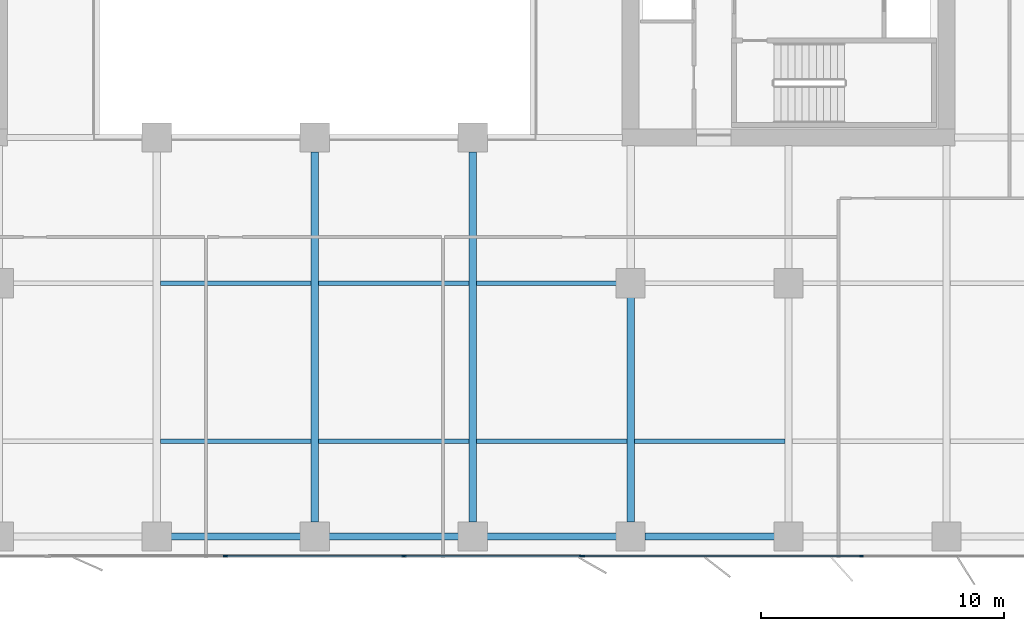
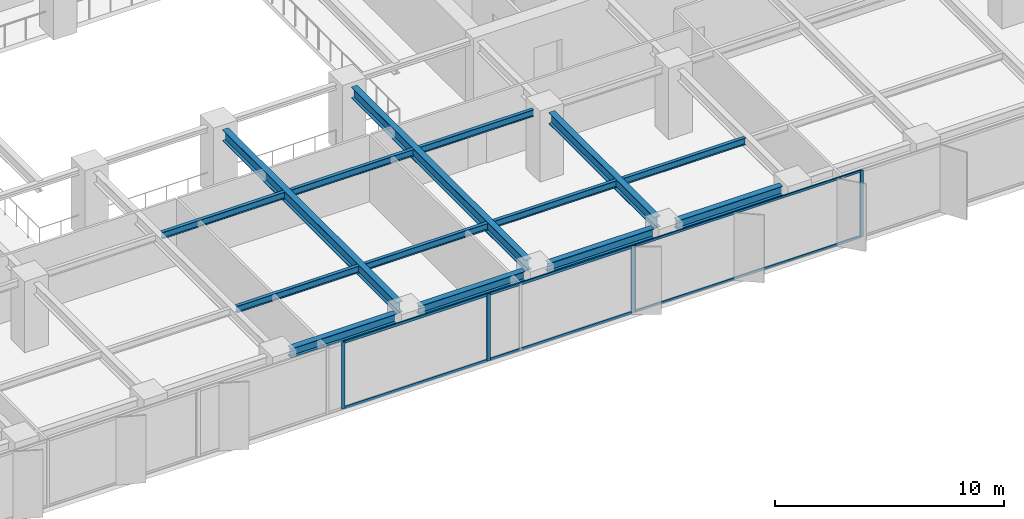
# One storey, part 5 of 20: 14 beams, 11 members, 2 elements without a shape of their own.
"""IFC4 building model written with IfcOpenShell, lengths in metres."""

from ifc_helpers import new_model, si_unit, direction, frame, origin, origin_2d, place, context, subcontext, project, spatial, rectangle, i_section, extrude, material, layer, layer_set, material_profile, profile_set, type_object, element, aggregate, save


model = new_model("IFC4")

# Units and contexts
model_context = context("Model", 3, precision=1e-05, world=origin(), true_north=direction((0.0, 1.0)))
body_context = subcontext(model_context, "Body", "Model", "MODEL_VIEW")
ifc_project = project(units=[si_unit("LENGTHUNIT", "METRE"), si_unit("AREAUNIT", "SQUARE_METRE"), si_unit("VOLUMEUNIT", "CUBIC_METRE"), si_unit("PLANEANGLEUNIT", "RADIAN"), si_unit("MASSUNIT", "GRAM", prefix="KILO")], contexts=[model_context])

# Site, building, storey
site_placement = place(None, origin())
site = spatial("IfcSite", under=ifc_project, at=site_placement, CompositionType="ELEMENT")
building_placement = place(site_placement, origin())
building = spatial("IfcBuilding", under=site, at=building_placement, Name="Putna Gate Headquarters", CompositionType="ELEMENT")
storey_placement = place(building_placement, frame((0.0, 0.0, 112.60009765625)))
storey = spatial("IfcBuildingStorey", under=building, at=storey_placement, Name="L27", CompositionType="ELEMENT", Elevation=112.60009765625)

# Beams
ifc_material_1 = material(Name="Steel S355J2", Category="steel")
ifc_material_profile_1 = material_profile(ifc_material_1, i_section(OverallWidth=0.300048828125, OverallDepth=0.60009765625, WebThickness=0.015380859375, FlangeThickness=0.030029296875, at=origin_2d()), Name="Steel S355J2")
ifc_profile_set_1 = profile_set([ifc_material_profile_1], Name="Steel S355J2")
beam_type_1 = type_object("IfcBeamType", Name="BM-GIRD-Z2-HEB600", PredefinedType="USERDEFINED", material=ifc_profile_set_1)
for number, where, z_axis, x_axis, name in (
    (1, (39.0, 3.16796875, 3.264892578125), (0.0, 1.0, 0.0), (-1.0, 0.0, 0.0), "L27 South Primary Girder X39"),
    (2, (45.5, 3.16796875, 3.264892578125), (0.0, 1.0, 0.0), (-1.0, 0.0, 0.0), "L27 South Primary Girder X45"),
):
    element("IfcBeam", number, at=place(storey_placement, frame(where, z_axis=z_axis, x_axis=x_axis)), inside=storey, type_object=beam_type_1, Name=name, ObjectType="GIRDER", PredefinedType="USERDEFINED", context=body_context, shape_type="SweptSolid", body=[
        extrude(i_section(OverallWidth=0.300048828125, OverallDepth=0.60009765625, WebThickness=0.015380859375, FlangeThickness=0.030029296875, at=origin_2d()), origin(), (0.0, 0.0, 1.0), 15.244140625),
    ])
beam_1_placement = place(storey_placement, frame((52.0, 3.16796875, 3.264892578125), z_axis=(0.0, 1.0, 0.0), x_axis=(-1.0, 0.0, 0.0)))
element("IfcBeam", 3, at=beam_1_placement, inside=storey, type_object=beam_type_1, Name="L27 South Primary Girder X52-1", ObjectType="GIRDER", PredefinedType="USERDEFINED", context=body_context, shape_type="SweptSolid", body=[
    extrude(i_section(OverallWidth=0.300048828125, OverallDepth=0.60009765625, WebThickness=0.015380859375, FlangeThickness=0.030029296875, at=origin_2d()), origin(), (0.0, 0.0, 1.0), 9.244140625),
])
ifc_material_profile_2 = material_profile(ifc_material_1, i_section(OverallWidth=0.169921875, OverallDepth=0.360107421875, WebThickness=0.008056640625, FlangeThickness=0.0126953125, at=origin_2d()), Name="Steel S355J2")
ifc_profile_set_2 = profile_set([ifc_material_profile_2], Name="Steel S355J2")
beam_type_2 = type_object("IfcBeamType", Name="BM-SEC-Z2-IPE360", PredefinedType="BEAM", material=ifc_profile_set_2)
for number, where, z_axis, x_axis, name in (
    (4, (32.654052734375, 6.5, 3.385009765625), (1.0, 0.0, 0.0), (0.0, 1.0, 0.0), "L27 South Secondary Beam 5"),
    (5, (32.654052734375, 13.0, 3.385009765625), (1.0, 0.0, 0.0), (0.0, 1.0, 0.0), "L27 South Secondary Beam 5"),
    (6, (39.154052734375, 6.5, 3.385009765625), (1.0, 0.0, 0.0), (0.0, 1.0, 0.0), "L27 South Secondary Beam 6"),
    (7, (39.154052734375, 13.0, 3.385009765625), (1.0, 0.0, 0.0), (0.0, 1.0, 0.0), "L27 South Secondary Beam 6"),
    (8, (45.654052734375, 6.5, 3.385009765625), (1.0, 0.0, 0.0), (0.0, 1.0, 0.0), "L27 South Secondary Beam 7"),
):
    element("IfcBeam", number, at=place(storey_placement, frame(where, z_axis=z_axis, x_axis=x_axis)), inside=storey, type_object=beam_type_2, Name=name, PredefinedType="BEAM", context=body_context, shape_type="SweptSolid", body=[
        extrude(i_section(OverallWidth=0.169921875, OverallDepth=0.360107421875, WebThickness=0.008056640625, FlangeThickness=0.0126953125, at=origin_2d()), origin(), (0.0, 0.0, 1.0), 6.19189453125),
    ])
beam_2_placement = place(storey_placement, frame((45.654052734375, 13.0, 3.385009765625), z_axis=(1.0, 0.0, 0.0), x_axis=(0.0, 1.0, 0.0)))
element("IfcBeam", 9, at=beam_2_placement, inside=storey, type_object=beam_type_2, Name="L27 South Secondary Beam 7", PredefinedType="BEAM", context=body_context, shape_type="SweptSolid", body=[
    extrude(i_section(OverallWidth=0.169921875, OverallDepth=0.360107421875, WebThickness=0.008056640625, FlangeThickness=0.0126953125, at=origin_2d()), origin(), (0.0, 0.0, 1.0), 5.758056640625),
])
beam_3_placement = place(storey_placement, frame((52.154052734375, 6.5, 3.385009765625), z_axis=(1.0, 0.0, 0.0), x_axis=(0.0, 1.0, 0.0)))
element("IfcBeam", 10, at=beam_3_placement, inside=storey, type_object=beam_type_2, Name="L27 South Secondary Beam 8", PredefinedType="BEAM", context=body_context, shape_type="SweptSolid", body=[
    extrude(i_section(OverallWidth=0.169921875, OverallDepth=0.360107421875, WebThickness=0.008056640625, FlangeThickness=0.0126953125, at=origin_2d()), origin(), (0.0, 0.0, 1.0), 6.19189453125),
])
ifc_material_profile_3 = material_profile(ifc_material_1, i_section(OverallWidth=0.300048828125, OverallDepth=0.489990234375, WebThickness=0.011962890625, FlangeThickness=0.02294921875, at=origin_2d()), Name="Steel S355J2")
ifc_profile_set_3 = profile_set([ifc_material_profile_3], Name="Steel S355J2")
beam_type_3 = type_object("IfcBeamType", Name="BM-SPAN-Z2-HEA500", PredefinedType="SPANDREL", material=ifc_profile_set_3)
for number, where, z_axis, x_axis, name in (
    (11, (33.087890625, 2.580078125, 3.31982421875), (1.0, 0.0, 0.0), (0.0, 1.0, 0.0), "L27 S Perimeter Spandrel 5"),
    (12, (39.587890625, 2.580078125, 3.31982421875), (1.0, 0.0, 0.0), (0.0, 1.0, 0.0), "L27 S Perimeter Spandrel 6"),
    (13, (46.087890625, 2.580078125, 3.31982421875), (1.0, 0.0, 0.0), (0.0, 1.0, 0.0), "L27 S Perimeter Spandrel 7"),
    (14, (52.587890625, 2.580078125, 3.31982421875), (1.0, 0.0, 0.0), (0.0, 1.0, 0.0), "L27 S Perimeter Spandrel 8"),
):
    element("IfcBeam", number, at=place(storey_placement, frame(where, z_axis=z_axis, x_axis=x_axis)), inside=storey, type_object=beam_type_3, Name=name, PredefinedType="SPANDREL", context=body_context, shape_type="SweptSolid", body=[
        extrude(i_section(OverallWidth=0.300048828125, OverallDepth=0.489990234375, WebThickness=0.011962890625, FlangeThickness=0.02294921875, at=origin_2d()), origin(), (0.0, 0.0, 1.0), 5.32421875),
    ])

# Curtain wall, members
ifc_material_2 = material(Name="Anodised bronze aluminium curtain wall", Category="aluminium")
ifc_layer_1 = layer(ifc_material_2, 0.159912109375)
ifc_layer_set_1 = layer_set([ifc_layer_1], Name="Anodised bronze aluminium curtain wall")
curtain_wall_type_1 = type_object("IfcCurtainWallType", Name="CW-SYS-Z2", PredefinedType="USERDEFINED", material=ifc_layer_set_1)
curtain_wall_1_placement = place(storey_placement, origin())
curtain_wall_1 = element("IfcCurtainWall", 15, at=curtain_wall_1_placement, inside=storey, type_object=curtain_wall_type_1, Name="L27 South East Curtain Wall", ObjectType="STICK CURTAIN WALL", PredefinedType="USERDEFINED")
ifc_material_3 = material(Name="Anodised bronze aluminium EN AW-6060", Category="aluminium")
ifc_material_profile_4 = material_profile(ifc_material_3, rectangle(XDim=0.06494140625, YDim=0.159912109375, at=origin_2d()), Name="Anodised bronze aluminium EN AW-6060")
ifc_profile_set_4 = profile_set([ifc_material_profile_4], Name="Anodised bronze aluminium EN AW-6060")
member_type_1 = type_object("IfcMemberType", Name="MULL-CWM-2", PredefinedType="MULLION", material=ifc_profile_set_4)
member_1_placement = place(storey_placement, frame((50.032470703125, 1.780029296875, 0.0), z_axis=(0.0, 0.0, 1.0), x_axis=(0.0, 1.0, 0.0)))
member_1 = element("IfcMember", 16, at=member_1_placement, type_object=member_type_1, Name="CWS-2 mullion 1", PredefinedType="MULLION", context=body_context, shape_type="SweptSolid", body=[
    extrude(rectangle(XDim=0.06494140625, YDim=0.159912109375, at=origin_2d()), origin(), (0.0, 0.0, 1.0), 3.56494140625),
])
member_2_placement = place(storey_placement, frame((61.5, 1.780029296875, 0.0), z_axis=(0.0, 0.0, 1.0), x_axis=(0.0, 1.0, 0.0)))
member_2 = element("IfcMember", 17, at=member_2_placement, type_object=member_type_1, Name="CWS-2 mullion 2", PredefinedType="MULLION", context=body_context, shape_type="SweptSolid", body=[
    extrude(rectangle(XDim=0.06494140625, YDim=0.159912109375, at=origin_2d()), origin(), (0.0, 0.0, 1.0), 3.56494140625),
])

ifc_layer_2 = layer(ifc_material_2, 0.179931640625)
ifc_layer_set_2 = layer_set([ifc_layer_2], Name="Anodised bronze aluminium curtain wall")
curtain_wall_type_2 = type_object("IfcCurtainWallType", Name="CW-SYS-ATR", PredefinedType="USERDEFINED", material=ifc_layer_set_2)
curtain_wall_2_placement = place(storey_placement, origin())
curtain_wall_2 = element("IfcCurtainWall", 18, at=curtain_wall_2_placement, inside=storey, type_object=curtain_wall_type_2, Name="L27 South Atrium Clear Glazing", ObjectType="ATRIUM GLAZING", PredefinedType="USERDEFINED")
ifc_material_profile_5 = material_profile(ifc_material_3, rectangle(XDim=0.070068359375, YDim=0.179931640625, at=origin_2d()), Name="Anodised bronze aluminium EN AW-6060")
ifc_profile_set_5 = profile_set([ifc_material_profile_5], Name="Anodised bronze aluminium EN AW-6060")
member_type_2 = type_object("IfcMemberType", Name="MULL-CWM-AT", PredefinedType="MULLION", material=ifc_profile_set_5)
member_3_placement = place(storey_placement, frame((35.333251953125, 1.780029296875, 0.0), z_axis=(0.0, 0.0, 1.0), x_axis=(0.0, 1.0, 0.0)))
member_3 = element("IfcMember", 19, at=member_3_placement, type_object=member_type_2, Name="CWS-AT mullion 2", PredefinedType="MULLION", context=body_context, shape_type="SweptSolid", body=[
    extrude(rectangle(XDim=0.070068359375, YDim=0.179931640625, at=origin_2d()), origin(), (0.0, 0.0, 1.0), 3.56494140625),
])
member_4_placement = place(storey_placement, frame((42.666748046875, 1.780029296875, 0.0), z_axis=(0.0, 0.0, 1.0), x_axis=(0.0, 1.0, 0.0)))
member_4 = element("IfcMember", 20, at=member_4_placement, type_object=member_type_2, Name="CWS-AT mullion 3", PredefinedType="MULLION", context=body_context, shape_type="SweptSolid", body=[
    extrude(rectangle(XDim=0.070068359375, YDim=0.179931640625, at=origin_2d()), origin(), (0.0, 0.0, 1.0), 3.56494140625),
])
member_5_placement = place(storey_placement, frame((49.965087890625, 1.780029296875, 0.0), z_axis=(0.0, 0.0, 1.0), x_axis=(0.0, 1.0, 0.0)))
member_5 = element("IfcMember", 21, at=member_5_placement, type_object=member_type_2, Name="CWS-AT mullion 4", PredefinedType="MULLION", context=body_context, shape_type="SweptSolid", body=[
    extrude(rectangle(XDim=0.070068359375, YDim=0.179931640625, at=origin_2d()), origin(), (0.0, 0.0, 1.0), 3.56494140625),
])

# Member
ifc_material_profile_6 = material_profile(ifc_material_3, rectangle(XDim=0.06494140625, YDim=0.1201171875, at=origin_2d()), Name="Anodised bronze aluminium EN AW-6060")
ifc_profile_set_6 = profile_set([ifc_material_profile_6], Name="Anodised bronze aluminium EN AW-6060")
member_type_3 = type_object("IfcMemberType", Name="TRAN-CWT-2", PredefinedType="USERDEFINED", material=ifc_profile_set_6)
member_6_placement = place(storey_placement, frame((50.06494140625, 1.780029296875, 0.032470703125), z_axis=(1.0, 0.0, 0.0), x_axis=(0.0, 1.0, 0.0)))
member_6 = element("IfcMember", 22, at=member_6_placement, type_object=member_type_3, Name="CWS-2 transom 1.1", ObjectType="TRANSOM", PredefinedType="USERDEFINED", context=body_context, shape_type="SweptSolid", body=[
    extrude(rectangle(XDim=0.06494140625, YDim=0.1201171875, at=origin_2d()), origin(), (0.0, 0.0, 1.0), 11.402587890625),
])

member_7_placement = place(storey_placement, frame((50.06494140625, 1.780029296875, 3.532470703125), z_axis=(1.0, 0.0, 0.0), x_axis=(0.0, 1.0, 0.0)))
member_7 = element("IfcMember", 23, at=member_7_placement, type_object=member_type_3, Name="CWS-2 transom 1.2", ObjectType="TRANSOM", PredefinedType="USERDEFINED", context=body_context, shape_type="SweptSolid", body=[
    extrude(rectangle(XDim=0.06494140625, YDim=0.1201171875, at=origin_2d()), origin(), (0.0, 0.0, 1.0), 11.402587890625),
])

aggregate(curtain_wall_1, [member_1, member_2, member_6, member_7])

ifc_material_profile_7 = material_profile(ifc_material_3, rectangle(XDim=0.070068359375, YDim=0.139892578125, at=origin_2d()), Name="Anodised bronze aluminium EN AW-6060")
ifc_profile_set_7 = profile_set([ifc_material_profile_7], Name="Anodised bronze aluminium EN AW-6060")
member_type_4 = type_object("IfcMemberType", Name="TRAN-CWT-AT", PredefinedType="USERDEFINED", material=ifc_profile_set_7)
member_8_placement = place(storey_placement, frame((35.368408203125, 1.780029296875, 0.034912109375), z_axis=(1.0, 0.0, 0.0), x_axis=(0.0, 1.0, 0.0)))
member_8 = element("IfcMember", 24, at=member_8_placement, type_object=member_type_4, Name="CWS-AT transom 2.1", ObjectType="TRANSOM", PredefinedType="USERDEFINED", context=body_context, shape_type="SweptSolid", body=[
    extrude(rectangle(XDim=0.070068359375, YDim=0.139892578125, at=origin_2d()), origin(), (0.0, 0.0, 1.0), 7.26318359375),
])

member_9_placement = place(storey_placement, frame((35.368408203125, 1.780029296875, 3.52978515625), z_axis=(1.0, 0.0, 0.0), x_axis=(0.0, 1.0, 0.0)))
member_9 = element("IfcMember", 25, at=member_9_placement, type_object=member_type_4, Name="CWS-AT transom 2.2", ObjectType="TRANSOM", PredefinedType="USERDEFINED", context=body_context, shape_type="SweptSolid", body=[
    extrude(rectangle(XDim=0.070068359375, YDim=0.139892578125, at=origin_2d()), origin(), (0.0, 0.0, 1.0), 7.26318359375),
])

member_10_placement = place(storey_placement, frame((42.70166015625, 1.780029296875, 0.034912109375), z_axis=(1.0, 0.0, 0.0), x_axis=(0.0, 1.0, 0.0)))
member_10 = element("IfcMember", 26, at=member_10_placement, type_object=member_type_4, Name="CWS-AT transom 3.1", ObjectType="TRANSOM", PredefinedType="USERDEFINED", context=body_context, shape_type="SweptSolid", body=[
    extrude(rectangle(XDim=0.070068359375, YDim=0.139892578125, at=origin_2d()), origin(), (0.0, 0.0, 1.0), 7.228271484375),
])

member_11_placement = place(storey_placement, frame((42.70166015625, 1.780029296875, 3.52978515625), z_axis=(1.0, 0.0, 0.0), x_axis=(0.0, 1.0, 0.0)))
member_11 = element("IfcMember", 27, at=member_11_placement, type_object=member_type_4, Name="CWS-AT transom 3.2", ObjectType="TRANSOM", PredefinedType="USERDEFINED", context=body_context, shape_type="SweptSolid", body=[
    extrude(rectangle(XDim=0.070068359375, YDim=0.139892578125, at=origin_2d()), origin(), (0.0, 0.0, 1.0), 7.228271484375),
])

aggregate(curtain_wall_2, [member_3, member_4, member_5, member_8, member_9, member_10, member_11])

save(model, "model.ifc")
